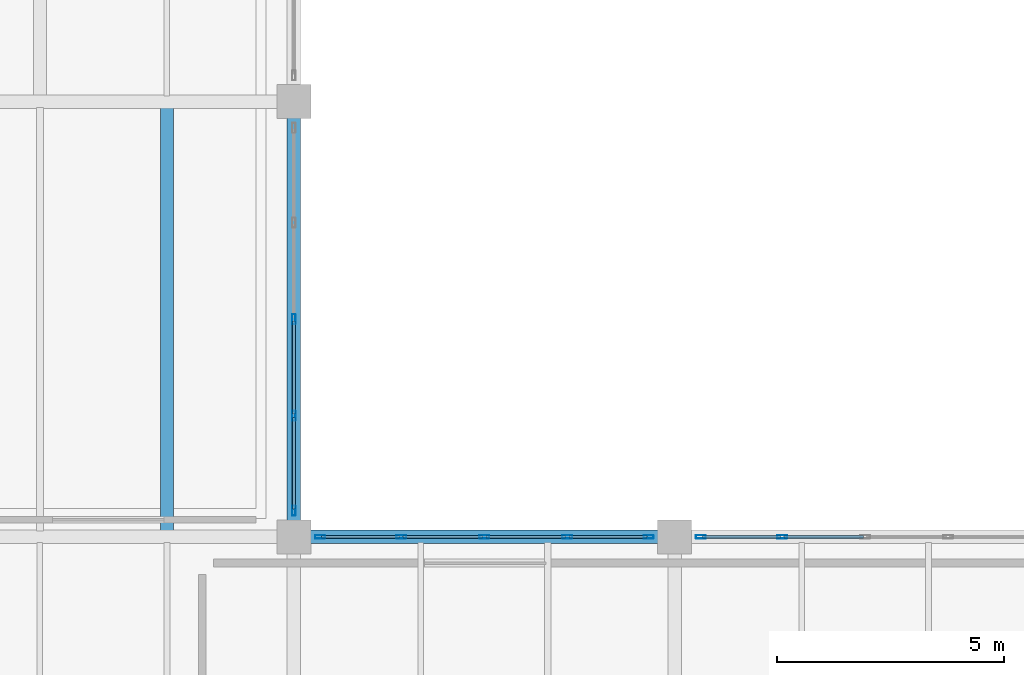
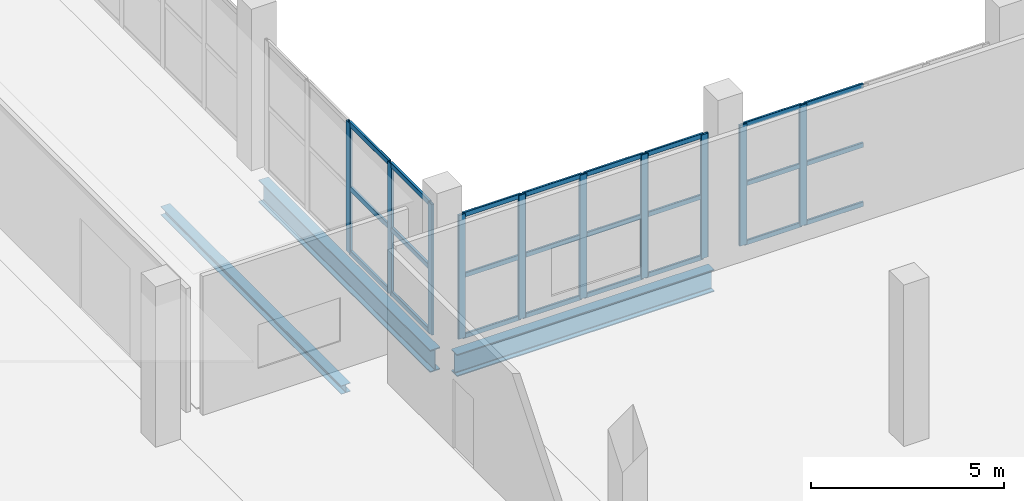
# One storey, part 36 of 77: 34 members, 3 beams, 3 elements without a shape of their own.
"""IFC4 building model written with IfcOpenShell, lengths in metres."""

from ifc_helpers import new_model, si_unit, direction, frame, origin, origin_2d, place, context, subcontext, project, spatial, hollow_rectangle, i_section, extrude, material, layer, layer_set, material_profile, profile_set, type_object, element, aggregate, save


model = new_model("IFC4")

# Units and contexts
model_context = context("Model", 3, precision=1e-05, world=origin(), true_north=direction((0.0, 1.0)))
body_context = subcontext(model_context, "Body", "Model", "MODEL_VIEW")
ifc_project = project(units=[si_unit("LENGTHUNIT", "METRE"), si_unit("AREAUNIT", "SQUARE_METRE"), si_unit("VOLUMEUNIT", "CUBIC_METRE"), si_unit("PLANEANGLEUNIT", "RADIAN"), si_unit("MASSUNIT", "GRAM", prefix="KILO")], contexts=[model_context])

# Site, building, storey
site_placement = place(None, origin())
site = spatial("IfcSite", under=ifc_project, at=site_placement, CompositionType="ELEMENT")
building_placement = place(site_placement, origin())
building = spatial("IfcBuilding", under=site, at=building_placement, Name="Zulmaris Art Gallery", CompositionType="ELEMENT")
storey_placement = place(building_placement, frame((0.0, 0.0, 15.60009765625)))
storey = spatial("IfcBuildingStorey", under=building, at=storey_placement, Name="L03", CompositionType="ELEMENT", Elevation=15.60009765625)

# Beams
ifc_material_1 = material(Name="Steel S355J2", Category="steel")
ifc_material_profile_1 = material_profile(ifc_material_1, i_section(OverallWidth=0.300048828125, OverallDepth=0.699951171875, WebThickness=0.01708984375, FlangeThickness=0.031982421875, FilletRadius=0.027099609375, at=origin_2d()), Name="HEB 700")
ifc_profile_set_1 = profile_set([ifc_material_profile_1], Name="Steel S355J2")
beam_type_1 = type_object("IfcBeamType", Name="BEAM-BM16", PredefinedType="BEAM", material=ifc_profile_set_1)
beam_1_placement = place(storey_placement, frame((158.760009765625, 31.199951171875, -0.72021484375), z_axis=(1.0, 0.0, 0.0), x_axis=(0.0, 1.0, 0.0)))
element("IfcBeam", 1, at=beam_1_placement, inside=storey, type_object=beam_type_1, Name="L03 X-girder (158.4..166.8, y=31.2)", PredefinedType="BEAM", context=body_context, shape_type="SweptSolid", body=[
    extrude(i_section(OverallWidth=0.300048828125, OverallDepth=0.699951171875, WebThickness=0.01708984375, FlangeThickness=0.031982421875, FilletRadius=0.027099609375, at=origin_2d()), origin(), (0.0, 0.0, 1.0), 7.679931640625),
])
beam_2_placement = place(storey_placement, frame((158.39990234375, 31.56005859375, -0.72021484375), z_axis=(0.0, 1.0, 0.0), x_axis=(-1.0, 0.0, 0.0)))
element("IfcBeam", 2, at=beam_2_placement, inside=storey, type_object=beam_type_1, Name="L03 Y-girder (x=158.4, 31.2..40.8)", PredefinedType="BEAM", context=body_context, shape_type="SweptSolid", body=[
    extrude(i_section(OverallWidth=0.300048828125, OverallDepth=0.699951171875, WebThickness=0.01708984375, FlangeThickness=0.031982421875, FilletRadius=0.027099609375, at=origin_2d()), origin(), (0.0, 0.0, 1.0), 8.8798828125),
])
ifc_material_profile_2 = material_profile(ifc_material_1, i_section(OverallWidth=0.280029296875, OverallDepth=0.27001953125, WebThickness=0.008056640625, FlangeThickness=0.012939453125, FilletRadius=0.02392578125, at=origin_2d()), Name="HEA 280")
ifc_profile_set_2 = profile_set([ifc_material_profile_2], Name="Steel S355J2")
beam_type_2 = type_object("IfcBeamType", Name="BEAM-JS04", PredefinedType="JOIST", material=ifc_profile_set_2)
beam_3_placement = place(storey_placement, frame((155.60009765625, 31.324951171875, -0.505126953125), z_axis=(0.0, 1.0, 0.0), x_axis=(-1.0, 0.0, 0.0)))
element("IfcBeam", 3, at=beam_3_placement, inside=storey, type_object=beam_type_2, Name="L03 secondary joist at x=155.6", PredefinedType="JOIST", context=body_context, shape_type="SweptSolid", body=[
    extrude(i_section(OverallWidth=0.280029296875, OverallDepth=0.27001953125, WebThickness=0.008056640625, FlangeThickness=0.012939453125, FilletRadius=0.02392578125, at=origin_2d()), origin(), (0.0, 0.0, 1.0), 9.35009765625),
])

# Curtain wall, members
ifc_material_2 = material(Name="Courtyard Artists Studio Curtain Wall", Category="aluminium")
ifc_layer = layer(ifc_material_2, 0.179931640625)
ifc_layer_set = layer_set([ifc_layer], Name="Courtyard Artists Studio Curtain Wall")
curtain_wall_type = type_object("IfcCurtainWallType", Name="CW-CW04", PredefinedType="NOTDEFINED", material=ifc_layer_set)
curtain_wall_1_placement = place(storey_placement, origin())
curtain_wall_1 = element("IfcCurtainWall", 4, at=curtain_wall_1_placement, inside=storey, type_object=curtain_wall_type, Name="L03 curtain wall 147", PredefinedType="NOTDEFINED")
ifc_material_3 = material(Name="Anodised Bronze Aluminium", Category="aluminium")
ifc_material_profile_3 = material_profile(ifc_material_3, hollow_rectangle(XDim=0.074951171875, YDim=0.219970703125, WallThickness=0.0048828125, InnerFilletRadius=0.007568359375, OuterFilletRadius=0.012451171875, at=origin_2d()), Name="ALU 75x220x5")
ifc_profile_set_3 = profile_set([ifc_material_profile_3], Name="Anodised Bronze Aluminium")
member_type_1 = type_object("IfcMemberType", Name="CWMUL-02", PredefinedType="MULLION", material=ifc_profile_set_3)
member_1_placement = place(storey_placement, frame((158.39990234375, 31.777587890625, 0.0), z_axis=(0.0, 0.0, 1.0), x_axis=(-1.0, 0.0, 0.0)))
member_1 = element("IfcMember", 5, at=member_1_placement, type_object=member_type_1, Name="CW04 mullion 1", PredefinedType="MULLION", context=body_context, shape_type="SweptSolid", body=[
    extrude(hollow_rectangle(XDim=0.074951171875, YDim=0.219970703125, WallThickness=0.0048828125, InnerFilletRadius=0.007568359375, OuterFilletRadius=0.012451171875, at=origin_2d()), origin(), (0.0, 0.0, 1.0), 4.119873046875),
])
member_2_placement = place(storey_placement, frame((158.39990234375, 33.8701171875, 0.0), z_axis=(0.0, 0.0, 1.0), x_axis=(-1.0, 0.0, 0.0)))
member_2 = element("IfcMember", 6, at=member_2_placement, type_object=member_type_1, Name="CW04 mullion 2", PredefinedType="MULLION", context=body_context, shape_type="SweptSolid", body=[
    extrude(hollow_rectangle(XDim=0.074951171875, YDim=0.219970703125, WallThickness=0.0048828125, InnerFilletRadius=0.007568359375, OuterFilletRadius=0.012451171875, at=origin_2d()), origin(), (0.0, 0.0, 1.0), 4.119873046875),
])
member_3_placement = place(storey_placement, frame((158.39990234375, 36.0, 0.0), z_axis=(0.0, 0.0, 1.0), x_axis=(-1.0, 0.0, 0.0)))
member_3 = element("IfcMember", 7, at=member_3_placement, type_object=member_type_1, Name="CW04 mullion 3", PredefinedType="MULLION", context=body_context, shape_type="SweptSolid", body=[
    extrude(hollow_rectangle(XDim=0.074951171875, YDim=0.219970703125, WallThickness=0.0048828125, InnerFilletRadius=0.007568359375, OuterFilletRadius=0.012451171875, at=origin_2d()), origin(), (0.0, 0.0, 1.0), 4.119873046875),
])

curtain_wall_2_placement = place(storey_placement, origin())
curtain_wall_2 = element("IfcCurtainWall", 8, at=curtain_wall_2_placement, inside=storey, type_object=curtain_wall_type, Name="L03 curtain wall 154", PredefinedType="NOTDEFINED")
member_4_placement = place(storey_placement, frame((158.9775390625, 31.199951171875, 0.0), z_axis=(0.0, 0.0, 1.0), x_axis=(0.0, 1.0, 0.0)))
member_4 = element("IfcMember", 9, at=member_4_placement, type_object=member_type_1, Name="CW04 mullion 1", PredefinedType="MULLION", context=body_context, shape_type="SweptSolid", body=[
    extrude(hollow_rectangle(XDim=0.074951171875, YDim=0.219970703125, WallThickness=0.0048828125, InnerFilletRadius=0.007568359375, OuterFilletRadius=0.012451171875, at=origin_2d()), origin(), (0.0, 0.0, 1.0), 3.909912109375),
])
member_5_placement = place(storey_placement, frame((160.77001953125, 31.199951171875, 0.0), z_axis=(0.0, 0.0, 1.0), x_axis=(0.0, 1.0, 0.0)))
member_5 = element("IfcMember", 10, at=member_5_placement, type_object=member_type_1, Name="CW04 mullion 2", PredefinedType="MULLION", context=body_context, shape_type="SweptSolid", body=[
    extrude(hollow_rectangle(XDim=0.074951171875, YDim=0.219970703125, WallThickness=0.0048828125, InnerFilletRadius=0.007568359375, OuterFilletRadius=0.012451171875, at=origin_2d()), origin(), (0.0, 0.0, 1.0), 3.909912109375),
])
member_6_placement = place(storey_placement, frame((162.60009765625, 31.199951171875, 0.0), z_axis=(0.0, 0.0, 1.0), x_axis=(0.0, 1.0, 0.0)))
member_6 = element("IfcMember", 11, at=member_6_placement, type_object=member_type_1, Name="CW04 mullion 3", PredefinedType="MULLION", context=body_context, shape_type="SweptSolid", body=[
    extrude(hollow_rectangle(XDim=0.074951171875, YDim=0.219970703125, WallThickness=0.0048828125, InnerFilletRadius=0.007568359375, OuterFilletRadius=0.012451171875, at=origin_2d()), origin(), (0.0, 0.0, 1.0), 3.909912109375),
])
member_7_placement = place(storey_placement, frame((164.429931640625, 31.199951171875, 0.0), z_axis=(0.0, 0.0, 1.0), x_axis=(0.0, 1.0, 0.0)))
member_7 = element("IfcMember", 12, at=member_7_placement, type_object=member_type_1, Name="CW04 mullion 4", PredefinedType="MULLION", context=body_context, shape_type="SweptSolid", body=[
    extrude(hollow_rectangle(XDim=0.074951171875, YDim=0.219970703125, WallThickness=0.0048828125, InnerFilletRadius=0.007568359375, OuterFilletRadius=0.012451171875, at=origin_2d()), origin(), (0.0, 0.0, 1.0), 3.909912109375),
])
member_8_placement = place(storey_placement, frame((166.222412109375, 31.199951171875, 0.0), z_axis=(0.0, 0.0, 1.0), x_axis=(0.0, 1.0, 0.0)))
member_8 = element("IfcMember", 13, at=member_8_placement, type_object=member_type_1, Name="CW04 mullion 5", PredefinedType="MULLION", context=body_context, shape_type="SweptSolid", body=[
    extrude(hollow_rectangle(XDim=0.074951171875, YDim=0.219970703125, WallThickness=0.0048828125, InnerFilletRadius=0.007568359375, OuterFilletRadius=0.012451171875, at=origin_2d()), origin(), (0.0, 0.0, 1.0), 3.909912109375),
])

curtain_wall_3_placement = place(storey_placement, origin())
curtain_wall_3 = element("IfcCurtainWall", 14, at=curtain_wall_3_placement, inside=storey, type_object=curtain_wall_type, Name="L03 curtain wall 156", PredefinedType="NOTDEFINED")
member_9_placement = place(storey_placement, frame((167.37744140625, 31.199951171875, 0.0), z_axis=(0.0, 0.0, 1.0), x_axis=(0.0, 1.0, 0.0)))
member_9 = element("IfcMember", 15, at=member_9_placement, type_object=member_type_1, Name="CW04 mullion 1", PredefinedType="MULLION", context=body_context, shape_type="SweptSolid", body=[
    extrude(hollow_rectangle(XDim=0.074951171875, YDim=0.219970703125, WallThickness=0.0048828125, InnerFilletRadius=0.007568359375, OuterFilletRadius=0.012451171875, at=origin_2d()), origin(), (0.0, 0.0, 1.0), 3.809814453125),
])
member_10_placement = place(storey_placement, frame((169.169921875, 31.199951171875, 0.0), z_axis=(0.0, 0.0, 1.0), x_axis=(0.0, 1.0, 0.0)))
member_10 = element("IfcMember", 16, at=member_10_placement, type_object=member_type_1, Name="CW04 mullion 2", PredefinedType="MULLION", context=body_context, shape_type="SweptSolid", body=[
    extrude(hollow_rectangle(XDim=0.074951171875, YDim=0.219970703125, WallThickness=0.0048828125, InnerFilletRadius=0.007568359375, OuterFilletRadius=0.012451171875, at=origin_2d()), origin(), (0.0, 0.0, 1.0), 3.809814453125),
])

# Member
ifc_material_profile_4 = material_profile(ifc_material_3, hollow_rectangle(XDim=0.06494140625, YDim=0.14990234375, WallThickness=0.00390625, InnerFilletRadius=0.006103515625, OuterFilletRadius=0.010009765625, at=origin_2d()), Name="ALU 65x150x4")
ifc_profile_set_4 = profile_set([ifc_material_profile_4], Name="Anodised Bronze Aluminium")
member_type_2 = type_object("IfcMemberType", Name="CWTRN-01", PredefinedType="USERDEFINED", material=ifc_profile_set_4)
member_11_placement = place(storey_placement, frame((159.014892578125, 31.199951171875, 0.037353515625), z_axis=(1.0, 0.0, 0.0), x_axis=(0.0, 1.0, 0.0)))
member_11 = element("IfcMember", 17, at=member_11_placement, type_object=member_type_2, Name="CW04 transom 1.1", ObjectType="TRANSOM", PredefinedType="USERDEFINED", context=body_context, shape_type="SweptSolid", body=[
    extrude(hollow_rectangle(XDim=0.06494140625, YDim=0.14990234375, WallThickness=0.00390625, InnerFilletRadius=0.006103515625, OuterFilletRadius=0.010009765625, at=origin_2d()), origin(), (0.0, 0.0, 1.0), 1.717529296875),
])

member_12_placement = place(storey_placement, frame((159.014892578125, 31.199951171875, 1.954833984375), z_axis=(1.0, 0.0, 0.0), x_axis=(0.0, 1.0, 0.0)))
member_12 = element("IfcMember", 18, at=member_12_placement, type_object=member_type_2, Name="CW04 transom 1.2", ObjectType="TRANSOM", PredefinedType="USERDEFINED", context=body_context, shape_type="SweptSolid", body=[
    extrude(hollow_rectangle(XDim=0.06494140625, YDim=0.14990234375, WallThickness=0.00390625, InnerFilletRadius=0.006103515625, OuterFilletRadius=0.010009765625, at=origin_2d()), origin(), (0.0, 0.0, 1.0), 1.717529296875),
])

member_13_placement = place(storey_placement, frame((159.014892578125, 31.199951171875, 3.872314453125), z_axis=(1.0, 0.0, 0.0), x_axis=(0.0, 1.0, 0.0)))
member_13 = element("IfcMember", 19, at=member_13_placement, type_object=member_type_2, Name="CW04 transom 1.3", ObjectType="TRANSOM", PredefinedType="USERDEFINED", context=body_context, shape_type="SweptSolid", body=[
    extrude(hollow_rectangle(XDim=0.06494140625, YDim=0.14990234375, WallThickness=0.00390625, InnerFilletRadius=0.006103515625, OuterFilletRadius=0.010009765625, at=origin_2d()), origin(), (0.0, 0.0, 1.0), 1.717529296875),
])

member_14_placement = place(storey_placement, frame((160.8076171875, 31.199951171875, 0.037353515625), z_axis=(1.0, 0.0, 0.0), x_axis=(0.0, 1.0, 0.0)))
member_14 = element("IfcMember", 20, at=member_14_placement, type_object=member_type_2, Name="CW04 transom 2.1", ObjectType="TRANSOM", PredefinedType="USERDEFINED", context=body_context, shape_type="SweptSolid", body=[
    extrude(hollow_rectangle(XDim=0.06494140625, YDim=0.14990234375, WallThickness=0.00390625, InnerFilletRadius=0.006103515625, OuterFilletRadius=0.010009765625, at=origin_2d()), origin(), (0.0, 0.0, 1.0), 1.7548828125),
])

member_15_placement = place(storey_placement, frame((160.8076171875, 31.199951171875, 1.954833984375), z_axis=(1.0, 0.0, 0.0), x_axis=(0.0, 1.0, 0.0)))
member_15 = element("IfcMember", 21, at=member_15_placement, type_object=member_type_2, Name="CW04 transom 2.2", ObjectType="TRANSOM", PredefinedType="USERDEFINED", context=body_context, shape_type="SweptSolid", body=[
    extrude(hollow_rectangle(XDim=0.06494140625, YDim=0.14990234375, WallThickness=0.00390625, InnerFilletRadius=0.006103515625, OuterFilletRadius=0.010009765625, at=origin_2d()), origin(), (0.0, 0.0, 1.0), 1.7548828125),
])

member_16_placement = place(storey_placement, frame((160.8076171875, 31.199951171875, 3.872314453125), z_axis=(1.0, 0.0, 0.0), x_axis=(0.0, 1.0, 0.0)))
member_16 = element("IfcMember", 22, at=member_16_placement, type_object=member_type_2, Name="CW04 transom 2.3", ObjectType="TRANSOM", PredefinedType="USERDEFINED", context=body_context, shape_type="SweptSolid", body=[
    extrude(hollow_rectangle(XDim=0.06494140625, YDim=0.14990234375, WallThickness=0.00390625, InnerFilletRadius=0.006103515625, OuterFilletRadius=0.010009765625, at=origin_2d()), origin(), (0.0, 0.0, 1.0), 1.7548828125),
])

member_17_placement = place(storey_placement, frame((162.637451171875, 31.199951171875, 0.037353515625), z_axis=(1.0, 0.0, 0.0), x_axis=(0.0, 1.0, 0.0)))
member_17 = element("IfcMember", 23, at=member_17_placement, type_object=member_type_2, Name="CW04 transom 3.1", ObjectType="TRANSOM", PredefinedType="USERDEFINED", context=body_context, shape_type="SweptSolid", body=[
    extrude(hollow_rectangle(XDim=0.06494140625, YDim=0.14990234375, WallThickness=0.00390625, InnerFilletRadius=0.006103515625, OuterFilletRadius=0.010009765625, at=origin_2d()), origin(), (0.0, 0.0, 1.0), 1.755126953125),
])

member_18_placement = place(storey_placement, frame((162.637451171875, 31.199951171875, 1.954833984375), z_axis=(1.0, 0.0, 0.0), x_axis=(0.0, 1.0, 0.0)))
member_18 = element("IfcMember", 24, at=member_18_placement, type_object=member_type_2, Name="CW04 transom 3.2", ObjectType="TRANSOM", PredefinedType="USERDEFINED", context=body_context, shape_type="SweptSolid", body=[
    extrude(hollow_rectangle(XDim=0.06494140625, YDim=0.14990234375, WallThickness=0.00390625, InnerFilletRadius=0.006103515625, OuterFilletRadius=0.010009765625, at=origin_2d()), origin(), (0.0, 0.0, 1.0), 1.755126953125),
])

member_19_placement = place(storey_placement, frame((162.637451171875, 31.199951171875, 3.872314453125), z_axis=(1.0, 0.0, 0.0), x_axis=(0.0, 1.0, 0.0)))
member_19 = element("IfcMember", 25, at=member_19_placement, type_object=member_type_2, Name="CW04 transom 3.3", ObjectType="TRANSOM", PredefinedType="USERDEFINED", context=body_context, shape_type="SweptSolid", body=[
    extrude(hollow_rectangle(XDim=0.06494140625, YDim=0.14990234375, WallThickness=0.00390625, InnerFilletRadius=0.006103515625, OuterFilletRadius=0.010009765625, at=origin_2d()), origin(), (0.0, 0.0, 1.0), 1.755126953125),
])

member_20_placement = place(storey_placement, frame((164.467529296875, 31.199951171875, 0.037353515625), z_axis=(1.0, 0.0, 0.0), x_axis=(0.0, 1.0, 0.0)))
member_20 = element("IfcMember", 26, at=member_20_placement, type_object=member_type_2, Name="CW04 transom 4.1", ObjectType="TRANSOM", PredefinedType="USERDEFINED", context=body_context, shape_type="SweptSolid", body=[
    extrude(hollow_rectangle(XDim=0.06494140625, YDim=0.14990234375, WallThickness=0.00390625, InnerFilletRadius=0.006103515625, OuterFilletRadius=0.010009765625, at=origin_2d()), origin(), (0.0, 0.0, 1.0), 1.717529296875),
])

member_21_placement = place(storey_placement, frame((164.467529296875, 31.199951171875, 1.954833984375), z_axis=(1.0, 0.0, 0.0), x_axis=(0.0, 1.0, 0.0)))
member_21 = element("IfcMember", 27, at=member_21_placement, type_object=member_type_2, Name="CW04 transom 4.2", ObjectType="TRANSOM", PredefinedType="USERDEFINED", context=body_context, shape_type="SweptSolid", body=[
    extrude(hollow_rectangle(XDim=0.06494140625, YDim=0.14990234375, WallThickness=0.00390625, InnerFilletRadius=0.006103515625, OuterFilletRadius=0.010009765625, at=origin_2d()), origin(), (0.0, 0.0, 1.0), 1.717529296875),
])

member_22_placement = place(storey_placement, frame((164.467529296875, 31.199951171875, 3.872314453125), z_axis=(1.0, 0.0, 0.0), x_axis=(0.0, 1.0, 0.0)))
member_22 = element("IfcMember", 28, at=member_22_placement, type_object=member_type_2, Name="CW04 transom 4.3", ObjectType="TRANSOM", PredefinedType="USERDEFINED", context=body_context, shape_type="SweptSolid", body=[
    extrude(hollow_rectangle(XDim=0.06494140625, YDim=0.14990234375, WallThickness=0.00390625, InnerFilletRadius=0.006103515625, OuterFilletRadius=0.010009765625, at=origin_2d()), origin(), (0.0, 0.0, 1.0), 1.717529296875),
])

aggregate(curtain_wall_2, [member_4, member_5, member_6, member_7, member_8, member_11, member_12, member_13, member_14, member_15, member_16, member_17, member_18, member_19, member_20, member_21, member_22])

member_23_placement = place(storey_placement, frame((167.4150390625, 31.199951171875, 0.037353515625), z_axis=(1.0, 0.0, 0.0), x_axis=(0.0, 1.0, 0.0)))
member_23 = element("IfcMember", 29, at=member_23_placement, type_object=member_type_2, Name="CW04 transom 1.1", ObjectType="TRANSOM", PredefinedType="USERDEFINED", context=body_context, shape_type="SweptSolid", body=[
    extrude(hollow_rectangle(XDim=0.06494140625, YDim=0.14990234375, WallThickness=0.00390625, InnerFilletRadius=0.006103515625, OuterFilletRadius=0.010009765625, at=origin_2d()), origin(), (0.0, 0.0, 1.0), 1.717529296875),
])

member_24_placement = place(storey_placement, frame((167.4150390625, 31.199951171875, 1.90478515625), z_axis=(1.0, 0.0, 0.0), x_axis=(0.0, 1.0, 0.0)))
member_24 = element("IfcMember", 30, at=member_24_placement, type_object=member_type_2, Name="CW04 transom 1.2", ObjectType="TRANSOM", PredefinedType="USERDEFINED", context=body_context, shape_type="SweptSolid", body=[
    extrude(hollow_rectangle(XDim=0.06494140625, YDim=0.14990234375, WallThickness=0.00390625, InnerFilletRadius=0.006103515625, OuterFilletRadius=0.010009765625, at=origin_2d()), origin(), (0.0, 0.0, 1.0), 1.717529296875),
])

member_25_placement = place(storey_placement, frame((167.4150390625, 31.199951171875, 3.7724609375), z_axis=(1.0, 0.0, 0.0), x_axis=(0.0, 1.0, 0.0)))
member_25 = element("IfcMember", 31, at=member_25_placement, type_object=member_type_2, Name="CW04 transom 1.3", ObjectType="TRANSOM", PredefinedType="USERDEFINED", context=body_context, shape_type="SweptSolid", body=[
    extrude(hollow_rectangle(XDim=0.06494140625, YDim=0.14990234375, WallThickness=0.00390625, InnerFilletRadius=0.006103515625, OuterFilletRadius=0.010009765625, at=origin_2d()), origin(), (0.0, 0.0, 1.0), 1.717529296875),
])

member_26_placement = place(storey_placement, frame((169.20751953125, 31.199951171875, 0.037353515625), z_axis=(1.0, 0.0, 0.0), x_axis=(0.0, 1.0, 0.0)))
member_26 = element("IfcMember", 32, at=member_26_placement, type_object=member_type_2, Name="CW04 transom 2.1", ObjectType="TRANSOM", PredefinedType="USERDEFINED", context=body_context, shape_type="SweptSolid", body=[
    extrude(hollow_rectangle(XDim=0.06494140625, YDim=0.14990234375, WallThickness=0.00390625, InnerFilletRadius=0.006103515625, OuterFilletRadius=0.010009765625, at=origin_2d()), origin(), (0.0, 0.0, 1.0), 1.7548828125),
])

member_27_placement = place(storey_placement, frame((169.20751953125, 31.199951171875, 1.90478515625), z_axis=(1.0, 0.0, 0.0), x_axis=(0.0, 1.0, 0.0)))
member_27 = element("IfcMember", 33, at=member_27_placement, type_object=member_type_2, Name="CW04 transom 2.2", ObjectType="TRANSOM", PredefinedType="USERDEFINED", context=body_context, shape_type="SweptSolid", body=[
    extrude(hollow_rectangle(XDim=0.06494140625, YDim=0.14990234375, WallThickness=0.00390625, InnerFilletRadius=0.006103515625, OuterFilletRadius=0.010009765625, at=origin_2d()), origin(), (0.0, 0.0, 1.0), 1.7548828125),
])

member_28_placement = place(storey_placement, frame((169.20751953125, 31.199951171875, 3.7724609375), z_axis=(1.0, 0.0, 0.0), x_axis=(0.0, 1.0, 0.0)))
member_28 = element("IfcMember", 34, at=member_28_placement, type_object=member_type_2, Name="CW04 transom 2.3", ObjectType="TRANSOM", PredefinedType="USERDEFINED", context=body_context, shape_type="SweptSolid", body=[
    extrude(hollow_rectangle(XDim=0.06494140625, YDim=0.14990234375, WallThickness=0.00390625, InnerFilletRadius=0.006103515625, OuterFilletRadius=0.010009765625, at=origin_2d()), origin(), (0.0, 0.0, 1.0), 1.7548828125),
])

aggregate(curtain_wall_3, [member_9, member_10, member_23, member_24, member_25, member_26, member_27, member_28])

ifc_material_profile_5 = material_profile(ifc_material_3, hollow_rectangle(XDim=0.074951171875, YDim=0.159912109375, WallThickness=0.00390625, InnerFilletRadius=0.006103515625, OuterFilletRadius=0.010009765625, at=origin_2d()), Name="ALU 75x160x4")
ifc_profile_set_5 = profile_set([ifc_material_profile_5], Name="Anodised Bronze Aluminium")
member_type_3 = type_object("IfcMemberType", Name="CWTRN-02", PredefinedType="USERDEFINED", material=ifc_profile_set_5)
member_29_placement = place(storey_placement, frame((158.39990234375, 31.81494140625, 0.037353515625), z_axis=(0.0, 1.0, 0.0), x_axis=(-1.0, 0.0, 0.0)))
member_29 = element("IfcMember", 35, at=member_29_placement, type_object=member_type_3, Name="CW04 transom 1.1", ObjectType="TRANSOM", PredefinedType="USERDEFINED", context=body_context, shape_type="SweptSolid", body=[
    extrude(hollow_rectangle(XDim=0.074951171875, YDim=0.159912109375, WallThickness=0.00390625, InnerFilletRadius=0.006103515625, OuterFilletRadius=0.010009765625, at=origin_2d()), origin(), (0.0, 0.0, 1.0), 2.017578125),
])

member_30_placement = place(storey_placement, frame((158.39990234375, 31.81494140625, 2.059814453125), z_axis=(0.0, 1.0, 0.0), x_axis=(-1.0, 0.0, 0.0)))
member_30 = element("IfcMember", 36, at=member_30_placement, type_object=member_type_3, Name="CW04 transom 1.2", ObjectType="TRANSOM", PredefinedType="USERDEFINED", context=body_context, shape_type="SweptSolid", body=[
    extrude(hollow_rectangle(XDim=0.074951171875, YDim=0.159912109375, WallThickness=0.00390625, InnerFilletRadius=0.006103515625, OuterFilletRadius=0.010009765625, at=origin_2d()), origin(), (0.0, 0.0, 1.0), 2.017578125),
])

member_31_placement = place(storey_placement, frame((158.39990234375, 31.81494140625, 4.08251953125), z_axis=(0.0, 1.0, 0.0), x_axis=(-1.0, 0.0, 0.0)))
member_31 = element("IfcMember", 37, at=member_31_placement, type_object=member_type_3, Name="CW04 transom 1.3", ObjectType="TRANSOM", PredefinedType="USERDEFINED", context=body_context, shape_type="SweptSolid", body=[
    extrude(hollow_rectangle(XDim=0.074951171875, YDim=0.159912109375, WallThickness=0.00390625, InnerFilletRadius=0.006103515625, OuterFilletRadius=0.010009765625, at=origin_2d()), origin(), (0.0, 0.0, 1.0), 2.017578125),
])

member_32_placement = place(storey_placement, frame((158.39990234375, 33.907470703125, 0.037353515625), z_axis=(0.0, 1.0, 0.0), x_axis=(-1.0, 0.0, 0.0)))
member_32 = element("IfcMember", 38, at=member_32_placement, type_object=member_type_3, Name="CW04 transom 2.1", ObjectType="TRANSOM", PredefinedType="USERDEFINED", context=body_context, shape_type="SweptSolid", body=[
    extrude(hollow_rectangle(XDim=0.074951171875, YDim=0.159912109375, WallThickness=0.00390625, InnerFilletRadius=0.006103515625, OuterFilletRadius=0.010009765625, at=origin_2d()), origin(), (0.0, 0.0, 1.0), 2.054931640625),
])

member_33_placement = place(storey_placement, frame((158.39990234375, 33.907470703125, 2.059814453125), z_axis=(0.0, 1.0, 0.0), x_axis=(-1.0, 0.0, 0.0)))
member_33 = element("IfcMember", 39, at=member_33_placement, type_object=member_type_3, Name="CW04 transom 2.2", ObjectType="TRANSOM", PredefinedType="USERDEFINED", context=body_context, shape_type="SweptSolid", body=[
    extrude(hollow_rectangle(XDim=0.074951171875, YDim=0.159912109375, WallThickness=0.00390625, InnerFilletRadius=0.006103515625, OuterFilletRadius=0.010009765625, at=origin_2d()), origin(), (0.0, 0.0, 1.0), 2.054931640625),
])

member_34_placement = place(storey_placement, frame((158.39990234375, 33.907470703125, 4.08251953125), z_axis=(0.0, 1.0, 0.0), x_axis=(-1.0, 0.0, 0.0)))
member_34 = element("IfcMember", 40, at=member_34_placement, type_object=member_type_3, Name="CW04 transom 2.3", ObjectType="TRANSOM", PredefinedType="USERDEFINED", context=body_context, shape_type="SweptSolid", body=[
    extrude(hollow_rectangle(XDim=0.074951171875, YDim=0.159912109375, WallThickness=0.00390625, InnerFilletRadius=0.006103515625, OuterFilletRadius=0.010009765625, at=origin_2d()), origin(), (0.0, 0.0, 1.0), 2.054931640625),
])

aggregate(curtain_wall_1, [member_1, member_2, member_3, member_29, member_30, member_31, member_32, member_33, member_34])

save(model, "model.ifc")
